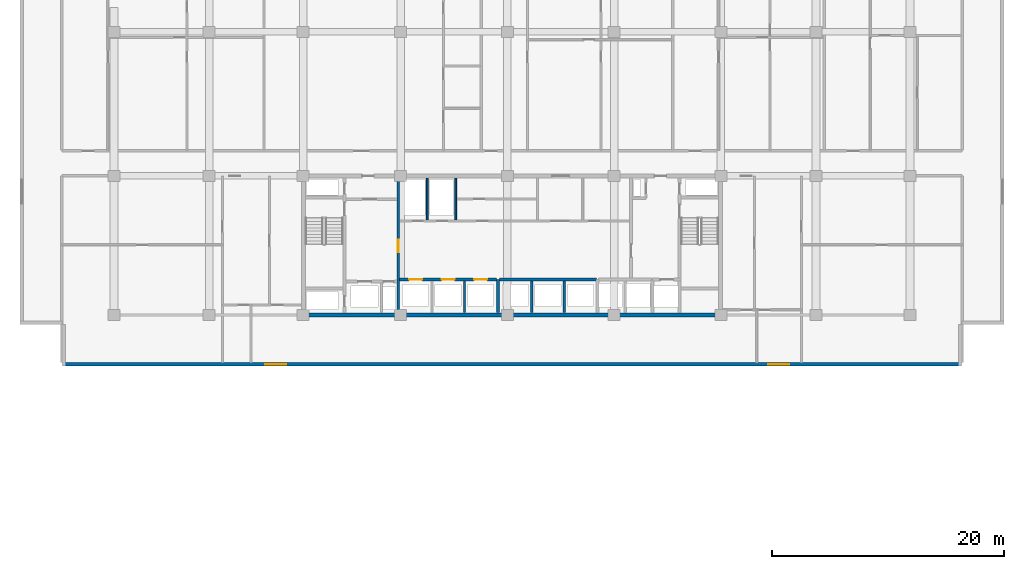
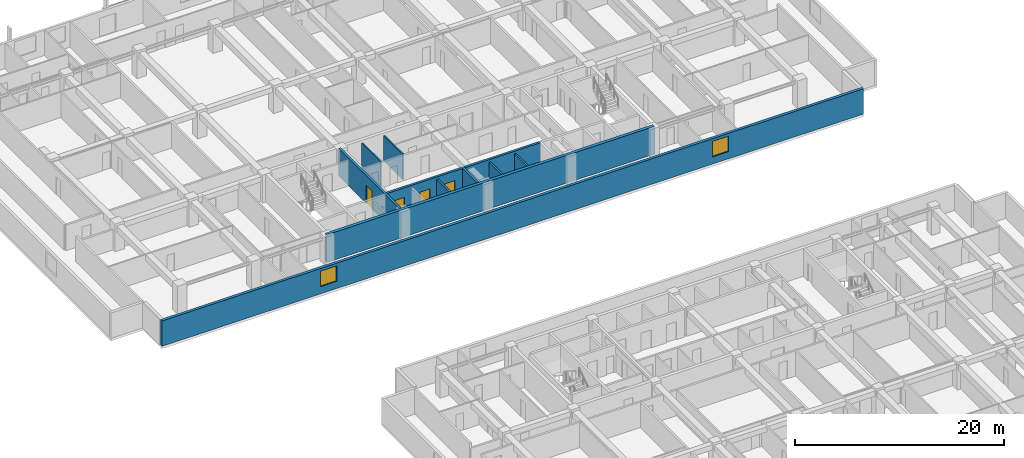
# One storey, part 11 of 23: 11 walls, 4 doors, 2 windows, 6 openings.
"""IFC4 building model written with IfcOpenShell, lengths in metres."""

from ifc_helpers import new_model, si_unit, direction, frame, frame_2d, origin, place, context, subcontext, project, spatial, rectangle, extrude, material, layer, layer_set, type_object, element, fill, save


model = new_model("IFC4")

# Units and contexts
model_context = context("Model", 3, precision=1e-05, world=origin(), true_north=direction((0.0, 1.0)))
body_context = subcontext(model_context, "Body", "Model", "MODEL_VIEW")
ifc_project = project(units=[si_unit("LENGTHUNIT", "METRE"), si_unit("AREAUNIT", "SQUARE_METRE"), si_unit("VOLUMEUNIT", "CUBIC_METRE"), si_unit("PLANEANGLEUNIT", "RADIAN"), si_unit("MASSUNIT", "GRAM", prefix="KILO")], contexts=[model_context])

# Site, building, storey
site_placement = place(None, origin())
site = spatial("IfcSite", under=ifc_project, at=site_placement, CompositionType="ELEMENT")
building_placement = place(site_placement, origin())
building = spatial("IfcBuilding", under=site, at=building_placement, Name="Korimba Cascade Residences", CompositionType="ELEMENT")
storey_placement = place(building_placement, frame((0.0, 0.0, 72.75)))
storey = spatial("IfcBuildingStorey", under=building, at=storey_placement, Name="L20", CompositionType="ELEMENT", Elevation=72.75)

# Wall, openings, windows
ifc_material_1 = material(Name="Precast concrete C40/50", Category="concrete")
ifc_layer_1 = layer(ifc_material_1, 0.300048828125)
ifc_layer_set_1 = layer_set([ifc_layer_1], Name="Precast concrete C40/50")
wall_type_1 = type_object("IfcWallType", Name="EW-STONE-300", PredefinedType="STANDARD", material=ifc_layer_set_1)
wall_1_placement = place(storey_placement, frame((55.300048828125, 50.949951171875, 0.0), z_axis=(0.0, 0.0, 1.0), x_axis=(1.0, 0.0, 0.0)))
wall_1 = element("IfcWall", 1, at=wall_1_placement, inside=storey, type_object=wall_type_1, Name="L20 T1 Perimeter Stone Wall E00", PredefinedType="STANDARD", context=body_context, shape_type="SweptSolid", body=[
    extrude(rectangle(XDim=77.599853515625, YDim=0.300048828125, at=frame_2d((38.7998046875, 0.0))), origin(), (0.0, 0.0, 1.0), 2.969970703125),
])
opening_1_placement = place(wall_1_placement, frame((17.52490234375, 0.0, 0.85009765625)))
opening_1 = element("IfcOpeningElement", 2, at=opening_1_placement, cuts=wall_1, Name="Opening W-02", PredefinedType="OPENING", context=body_context, shape_type="SweptSolid", body=[
    extrude(rectangle(XDim=1.800048828125, YDim=1.800048828125, at=frame_2d((0.89990234375, 0.89990234375))), frame((0.0, 0.16015625, 0.0), z_axis=(0.0, -1.0, 0.0), x_axis=(1.0, 0.0, 0.0)), (0.0, 0.0, 1.0), 0.320068359375),
])
opening_2_placement = place(wall_1_placement, frame((60.875, 0.0, 0.85009765625)))
opening_2 = element("IfcOpeningElement", 3, at=opening_2_placement, cuts=wall_1, Name="Opening W-02", PredefinedType="OPENING", context=body_context, shape_type="SweptSolid", body=[
    extrude(rectangle(XDim=1.800048828125, YDim=1.800048828125, at=frame_2d((0.89990234375, 0.89990234375))), frame((0.0, 0.16015625, 0.0), z_axis=(0.0, -1.0, 0.0), x_axis=(1.0, 0.0, 0.0)), (0.0, 0.0, 1.0), 0.320068359375),
])
ifc_material_2 = material(Name="Double-Glazed Aluminium Window", Category="aluminium")
window_type = type_object("IfcWindowType", Name="WIN-BED-1800", PartitioningType="SINGLE_PANEL", PredefinedType="WINDOW", material=ifc_material_2)
window_1_placement = place(opening_1_placement, origin())
window_1 = element("IfcWindow", 4, at=window_1_placement, inside=storey, type_object=window_type, Name="L20 T1 South Corner Bedroom Window 1", OverallHeight=1.800048828125, OverallWidth=1.800048828125, PartitioningType="SINGLE_PANEL", PredefinedType="WINDOW", context=body_context, shape_type="SweptSolid", body=[
    extrude(rectangle(XDim=1.800048828125, YDim=1.800048828125, at=frame_2d((0.89990234375, 0.89990234375))), frame((0.0, 0.030029296875, 0.0), z_axis=(0.0, -1.0, 0.0), x_axis=(1.0, 0.0, 0.0)), (0.0, 0.0, 1.0), 0.06005859375),
])
fill(opening_1, window_1)
window_2_placement = place(opening_2_placement, origin())
window_2 = element("IfcWindow", 5, at=window_2_placement, inside=storey, type_object=window_type, Name="L20 T1 South Corner Bedroom Window 2", OverallHeight=1.800048828125, OverallWidth=1.800048828125, PartitioningType="SINGLE_PANEL", PredefinedType="WINDOW", context=body_context, shape_type="SweptSolid", body=[
    extrude(rectangle(XDim=1.800048828125, YDim=1.800048828125, at=frame_2d((0.89990234375, 0.89990234375))), frame((0.0, 0.030029296875, 0.0), z_axis=(0.0, -1.0, 0.0), x_axis=(1.0, 0.0, 0.0)), (0.0, 0.0, 1.0), 0.06005859375),
])
fill(opening_2, window_2)

# Walls
ifc_material_3 = material(Name="Concrete C65/80", Category="concrete")
ifc_layer_2 = layer(ifc_material_3, 0.35009765625)
ifc_layer_set_2 = layer_set([ifc_layer_2], Name="Concrete C65/80")
wall_type_2 = type_object("IfcWallType", Name="WAL-CORE-350", PredefinedType="SHEAR", material=ifc_layer_set_2)
wall_2_placement = place(storey_placement, frame((75.949951171875, 55.199951171875, 0.0), z_axis=(0.0, 0.0, 1.0), x_axis=(1.0, 0.0, 0.0)))
element("IfcWall", 6, at=wall_2_placement, inside=storey, type_object=wall_type_2, Name="L20 Core Shear Wall CW-L20-T1-S", PredefinedType="SHEAR", context=body_context, shape_type="SweptSolid", body=[
    extrude(rectangle(XDim=36.300048828125, YDim=0.35009765625, at=frame_2d((18.14990234375, 0.0))), origin(), (0.0, 0.0, 1.0), 3.25),
])
ifc_material_4 = material(Name="Insulated Acoustic Stud Partition", Category="gypsum")
ifc_layer_3 = layer(ifc_material_4, 0.14990234375)
ifc_layer_set_3 = layer_set([ifc_layer_3], Name="Insulated Acoustic Stud Partition")
wall_type_3 = type_object("IfcWallType", Name="WAL-PART-150", PredefinedType="PARTITIONING", material=ifc_layer_set_3)
for number, where, z_axis, x_axis, name in (
    (7, (86.800048828125, 63.39990234375, 0.0), (0.0, 0.0, 1.0), (0.0, 1.0, 0.0), "L20 Partition Wall CW-L20-T1-ERDIV"),
    (8, (89.25, 63.39990234375, 0.0), (0.0, 0.0, 1.0), (0.0, 1.0, 0.0), "L20 Partition Wall CW-L20-T1-PRDIV"),
):
    element("IfcWall", number, at=place(storey_placement, frame(where, z_axis=z_axis, x_axis=x_axis)), inside=storey, type_object=wall_type_3, Name=name, PredefinedType="PARTITIONING", context=body_context, shape_type="SweptSolid", body=[
        extrude(rectangle(XDim=3.60009765625, YDim=0.14990234375, at=frame_2d((1.800048828125, 0.0))), origin(), (0.0, 0.0, 1.0), 2.969970703125),
    ])
ifc_material_5 = material(Name="Concrete C40/50", Category="concrete")
ifc_layer_4 = layer(ifc_material_5, 0.199951171875)
ifc_layer_set_4 = layer_set([ifc_layer_4], Name="Concrete C40/50")
wall_type_4 = type_object("IfcWallType", Name="WAL-PART-200", PredefinedType="PARTITIONING", material=ifc_layer_set_4)
for number, where, z_axis, x_axis, name in (
    (9, (90.0, 55.39990234375, 0.0), (0.0, 0.0, 1.0), (0.0, 1.0, 0.0), "L20 Partition Wall CW-L20-T1-B1D2"),
    (10, (95.800048828125, 55.39990234375, 0.0), (0.0, 0.0, 1.0), (0.0, 1.0, 0.0), "L20 Partition Wall CW-L20-T1-B2D1"),
    (11, (98.60009765625, 55.39990234375, 0.0), (0.0, 0.0, 1.0), (0.0, 1.0, 0.0), "L20 Partition Wall CW-L20-T1-B2D2"),
):
    element("IfcWall", number, at=place(storey_placement, frame(where, z_axis=z_axis, x_axis=x_axis)), inside=storey, type_object=wall_type_4, Name=name, PredefinedType="PARTITIONING", context=body_context, shape_type="SweptSolid", body=[
        extrude(rectangle(XDim=2.72021484375, YDim=0.199951171875, at=frame_2d((1.360107421875, 0.0))), origin(), (0.0, 0.0, 1.0), 2.969970703125),
    ])

# Wall, opening, door
ifc_material_6 = material(Name="Concrete C50/60", Category="concrete")
ifc_layer_5 = layer(ifc_material_6, 0.25)
ifc_layer_set_5 = layer_set([ifc_layer_5], Name="Concrete C50/60")
wall_type_5 = type_object("IfcWallType", Name="WAL-SHAFT-250", PredefinedType="SHEAR", material=ifc_layer_set_5)
wall_3_placement = place(storey_placement, frame((84.300048828125, 55.39990234375, 0.0), z_axis=(0.0, 0.0, 1.0), x_axis=(0.0, 1.0, 0.0)))
wall_3 = element("IfcWall", 12, at=wall_3_placement, inside=storey, type_object=wall_type_5, Name="L20 Core Shear Wall CW-L20-T1-FFLE", PredefinedType="SHEAR", context=body_context, shape_type="SweptSolid", body=[
    extrude(rectangle(XDim=11.60009765625, YDim=0.25, at=frame_2d((5.800048828125, 0.0))), origin(), (0.0, 0.0, 1.0), 3.25),
])
opening_3_placement = place(wall_3_placement, frame((5.199951171875, 0.0, 0.0)))
opening_3 = element("IfcOpeningElement", 13, at=opening_3_placement, cuts=wall_3, Name="Opening D-FD1", PredefinedType="OPENING", context=body_context, shape_type="SweptSolid", body=[
    extrude(rectangle(XDim=1.10009765625, YDim=2.10009765625, at=frame_2d((0.550048828125, 1.050048828125))), frame((0.0, 0.135009765625, 0.0), z_axis=(0.0, -1.0, 0.0), x_axis=(1.0, 0.0, 0.0)), (0.0, 0.0, 1.0), 0.27001953125),
])
ifc_material_7 = material(Name="Fire-Rated Steel Core Door", Category="steel")
door_type_1 = type_object("IfcDoorType", Name="DR-FD120-1100", OperationType="NOTDEFINED", PredefinedType="DOOR", material=ifc_material_7)
door_1_placement = place(opening_3_placement, origin())
door_1 = element("IfcDoor", 14, at=door_1_placement, inside=storey, type_object=door_type_1, Name="L20 Firefighting Lobby to Lift Lobby Door", OperationType="SINGLE_SWING_LEFT", OverallHeight=2.10009765625, OverallWidth=1.10009765625, PredefinedType="DOOR", context=body_context, shape_type="SweptSolid", body=[
    extrude(rectangle(XDim=1.10009765625, YDim=2.10009765625, at=frame_2d((0.550048828125, 1.050048828125))), frame((0.0, 0.02490234375, 0.0), z_axis=(0.0, -1.0, 0.0), x_axis=(1.0, 0.0, 0.0)), (0.0, 0.0, 1.0), 0.050048828125),
])
fill(opening_3, door_1)

# Wall, openings, doors
wall_4_placement = place(storey_placement, frame((84.419921875, 58.25, 0.0), z_axis=(0.0, 0.0, 1.0), x_axis=(1.0, 0.0, 0.0)))
wall_4 = element("IfcWall", 15, at=wall_4_placement, inside=storey, type_object=wall_type_5, Name="L20 Core Shear Wall CW-L20-T1-B1N", PredefinedType="SHEAR", context=body_context, shape_type="SweptSolid", body=[
    extrude(rectangle(XDim=8.360107421875, YDim=0.25, at=frame_2d((4.18017578125, 0.0))), origin(), (0.0, 0.0, 1.0), 3.25),
])
opening_4_placement = place(wall_4_placement, frame((0.820068359375, 0.0, 0.0)))
opening_4 = element("IfcOpeningElement", 16, at=opening_4_placement, cuts=wall_4, Name="Opening LD-01", PredefinedType="OPENING", context=body_context, shape_type="SweptSolid", body=[
    extrude(rectangle(XDim=1.1201171875, YDim=2.1201171875, at=frame_2d((0.56005859375, 1.06005859375))), frame((0.0, 0.135009765625, 0.0), z_axis=(0.0, -1.0, 0.0), x_axis=(1.0, 0.0, 0.0)), (0.0, 0.0, 1.0), 0.27001953125),
])
opening_5_placement = place(wall_4_placement, frame((3.6201171875, 0.0, 0.0)))
opening_5 = element("IfcOpeningElement", 17, at=opening_5_placement, cuts=wall_4, Name="Opening LD-01", PredefinedType="OPENING", context=body_context, shape_type="SweptSolid", body=[
    extrude(rectangle(XDim=1.1201171875, YDim=2.1201171875, at=frame_2d((0.56005859375, 1.06005859375))), frame((0.0, 0.135009765625, 0.0), z_axis=(0.0, -1.0, 0.0), x_axis=(1.0, 0.0, 0.0)), (0.0, 0.0, 1.0), 0.27001953125),
])
opening_6_placement = place(wall_4_placement, frame((6.419921875, 0.0, 0.0)))
opening_6 = element("IfcOpeningElement", 18, at=opening_6_placement, cuts=wall_4, Name="Opening LD-01", PredefinedType="OPENING", context=body_context, shape_type="SweptSolid", body=[
    extrude(rectangle(XDim=1.1201171875, YDim=2.1201171875, at=frame_2d((0.56005859375, 1.06005859375))), frame((0.0, 0.135009765625, 0.0), z_axis=(0.0, -1.0, 0.0), x_axis=(1.0, 0.0, 0.0)), (0.0, 0.0, 1.0), 0.27001953125),
])
ifc_material_8 = material(Name="Stainless Steel Lift Landing Sliding Door", Category="steel")
door_type_2 = type_object("IfcDoorType", Name="DR-LIFT-1100", OperationType="NOTDEFINED", PredefinedType="DOOR", material=ifc_material_8)
door_2_placement = place(opening_4_placement, origin())
door_2 = element("IfcDoor", 19, at=door_2_placement, inside=storey, type_object=door_type_2, Name="L20 Lift Landing Door PL-W1", OperationType="SLIDING_TO_LEFT", OverallHeight=2.1201171875, OverallWidth=1.1201171875, PredefinedType="DOOR", context=body_context, shape_type="SweptSolid", body=[
    extrude(rectangle(XDim=1.1201171875, YDim=2.1201171875, at=frame_2d((0.56005859375, 1.06005859375))), frame((0.0, 0.02490234375, 0.0), z_axis=(0.0, -1.0, 0.0), x_axis=(1.0, 0.0, 0.0)), (0.0, 0.0, 1.0), 0.050048828125),
])
fill(opening_4, door_2)
door_3_placement = place(opening_5_placement, origin())
door_3 = element("IfcDoor", 20, at=door_3_placement, inside=storey, type_object=door_type_2, Name="L20 Lift Landing Door PL-W2", OperationType="SLIDING_TO_LEFT", OverallHeight=2.1201171875, OverallWidth=1.1201171875, PredefinedType="DOOR", context=body_context, shape_type="SweptSolid", body=[
    extrude(rectangle(XDim=1.1201171875, YDim=2.1201171875, at=frame_2d((0.56005859375, 1.06005859375))), frame((0.0, 0.02490234375, 0.0), z_axis=(0.0, -1.0, 0.0), x_axis=(1.0, 0.0, 0.0)), (0.0, 0.0, 1.0), 0.050048828125),
])
fill(opening_5, door_3)
door_4_placement = place(opening_6_placement, origin())
door_4 = element("IfcDoor", 21, at=door_4_placement, inside=storey, type_object=door_type_2, Name="L20 Lift Landing Door PL-W3", OperationType="SLIDING_TO_LEFT", OverallHeight=2.1201171875, OverallWidth=1.1201171875, PredefinedType="DOOR", context=body_context, shape_type="SweptSolid", body=[
    extrude(rectangle(XDim=1.1201171875, YDim=2.1201171875, at=frame_2d((0.56005859375, 1.06005859375))), frame((0.0, 0.02490234375, 0.0), z_axis=(0.0, -1.0, 0.0), x_axis=(1.0, 0.0, 0.0)), (0.0, 0.0, 1.0), 0.050048828125),
])
fill(opening_6, door_4)

# Walls
wall_5_placement = place(storey_placement, frame((92.89990234375, 55.39990234375, 0.0), z_axis=(0.0, 0.0, 1.0), x_axis=(0.0, 1.0, 0.0)))
element("IfcWall", 22, at=wall_5_placement, inside=storey, type_object=wall_type_5, Name="L20 Core Shear Wall CW-L20-T1-B12DIV", PredefinedType="SHEAR", context=body_context, shape_type="SweptSolid", body=[
    extrude(rectangle(XDim=2.85009765625, YDim=0.25, at=frame_2d((1.425048828125, 0.0))), origin(), (0.0, 0.0, 1.0), 3.25),
])
wall_6_placement = place(storey_placement, frame((93.02001953125, 58.25, 0.0), z_axis=(0.0, 0.0, 1.0), x_axis=(1.0, 0.0, 0.0)))
element("IfcWall", 23, at=wall_6_placement, inside=storey, type_object=wall_type_5, Name="L20 Core Shear Wall CW-L20-T1-B2N", PredefinedType="SHEAR", context=body_context, shape_type="SweptSolid", body=[
    extrude(rectangle(XDim=8.35986328125, YDim=0.25, at=frame_2d((4.179931640625, 0.0))), origin(), (0.0, 0.0, 1.0), 3.25),
])

save(model, "model.ifc")
